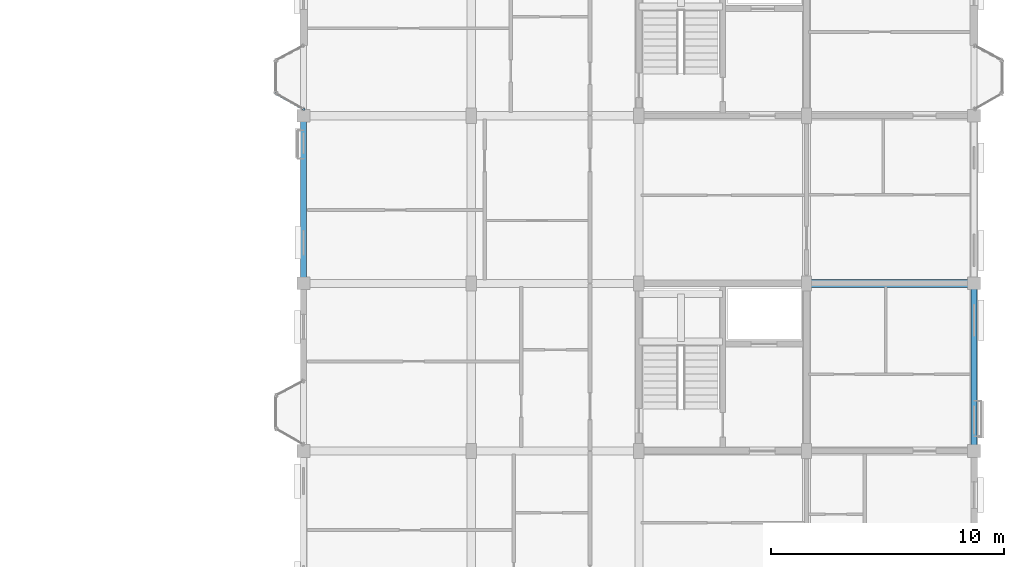
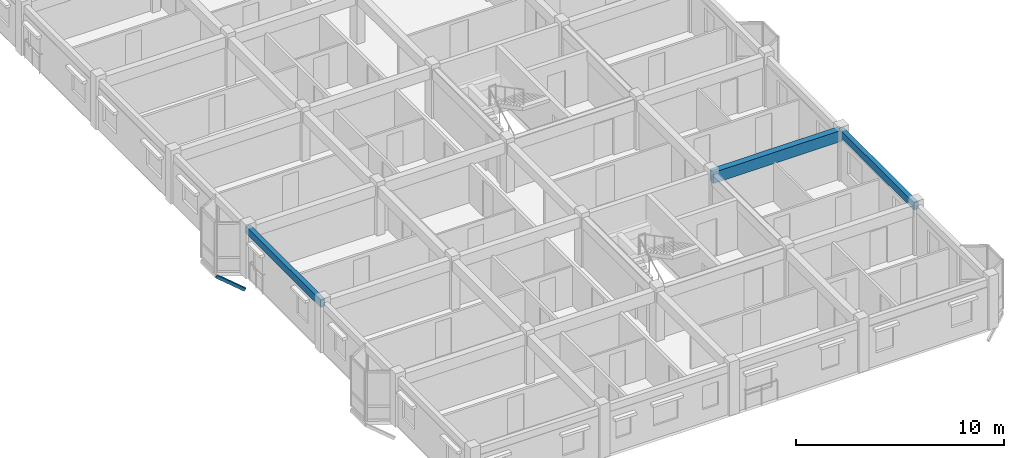
# One storey, part 26 of 79: 3 beams, 1 member.
"""IFC4 building model written with IfcOpenShell, lengths in metres."""

from ifc_helpers import new_model, si_unit, direction, frame, origin, origin_2d, place, context, subcontext, project, spatial, rectangle, hollow_rectangle, extrude, material, material_profile, profile_set, type_object, element, save


model = new_model("IFC4")

# Units and contexts
model_context = context("Model", 3, precision=1e-05, world=origin(), true_north=direction((0.0, 1.0)))
body_context = subcontext(model_context, "Body", "Model", "MODEL_VIEW")
ifc_project = project(units=[si_unit("LENGTHUNIT", "METRE"), si_unit("AREAUNIT", "SQUARE_METRE"), si_unit("VOLUMEUNIT", "CUBIC_METRE"), si_unit("PLANEANGLEUNIT", "RADIAN"), si_unit("MASSUNIT", "GRAM", prefix="KILO"), si_unit("THERMODYNAMICTEMPERATUREUNIT", "KELVIN"), si_unit("POWERUNIT", "WATT")], contexts=[model_context])

# Site, building, storey
site_placement = place(None, origin())
site = spatial("IfcSite", under=ifc_project, at=site_placement, CompositionType="ELEMENT")
building_placement = place(site_placement, origin())
building = spatial("IfcBuilding", under=site, at=building_placement, Name="Tavuni Mirador Residences", CompositionType="ELEMENT")
storey_placement = place(building_placement, frame((0.0, 0.0, 13.949951171875)))
storey = spatial("IfcBuildingStorey", under=building, at=storey_placement, Name="L04", CompositionType="ELEMENT", Elevation=13.949951171875)

# Beams
ifc_material_1 = material(Name="Precast concrete C40/50", Category="concrete")
ifc_material_profile_1 = material_profile(ifc_material_1, rectangle(XDim=0.35009765625, YDim=0.64990234375, at=origin_2d()), Name="PC 350x650", Category="concrete")
ifc_profile_set_1 = profile_set([ifc_material_profile_1], Name="Precast concrete C40/50")
beam_type_1 = type_object("IfcBeamType", Name="BT-B650", PredefinedType="BEAM", material=ifc_profile_set_1)
beam_placement = place(storey_placement, frame((111.60009765625, 100.800048828125, 2.56494140625), z_axis=(1.0, 0.0, 0.0), x_axis=(0.0, 1.0, 0.0)))
element("IfcBeam", 1, at=beam_placement, inside=storey, type_object=beam_type_1, Name="BMX-BLK-D-L04-03-02", PredefinedType="BEAM", context=body_context, shape_type="SweptSolid", body=[
    extrude(rectangle(XDim=0.35009765625, YDim=0.64990234375, at=origin_2d()), origin(), (0.0, 0.0, 1.0), 7.199951171875),
])
ifc_material_profile_2 = material_profile(ifc_material_1, rectangle(XDim=0.25, YDim=0.419921875, at=origin_2d()), Name="PC 250x420", Category="concrete")
ifc_profile_set_2 = profile_set([ifc_material_profile_2], Name="Precast concrete C40/50")
beam_type_2 = type_object("IfcBeamType", Name="BT-SP420", PredefinedType="SPANDREL", material=ifc_profile_set_2)
for number, where, z_axis, x_axis, name in (
    (2, (90.0, 100.800048828125, 2.679931640625), (0.0, 1.0, 0.0), (-1.0, 0.0, 0.0), "BMY-BLK-D-L04-00-02"),
    (3, (118.800048828125, 93.60009765625, 2.679931640625), (0.0, 1.0, 0.0), (-1.0, 0.0, 0.0), "BMY-BLK-D-L04-04-01"),
):
    element("IfcBeam", number, at=place(storey_placement, frame(where, z_axis=z_axis, x_axis=x_axis)), inside=storey, type_object=beam_type_2, Name=name, PredefinedType="SPANDREL", context=body_context, shape_type="SweptSolid", body=[
        extrude(rectangle(XDim=0.25, YDim=0.419921875, at=origin_2d()), origin(), (0.0, 0.0, 1.0), 7.199951171875),
    ])

# Member
ifc_material_2 = material(Name="Structural steel S355", Category="steel")
ifc_material_profile_3 = material_profile(ifc_material_2, hollow_rectangle(XDim=0.10009765625, YDim=0.179931640625, WallThickness=0.008056640625, at=origin_2d()), Name="RHS 180x100x8.0", Category="steel")
ifc_profile_set_3 = profile_set([ifc_material_profile_3], Name="Structural steel S355")
member_type = type_object("IfcMemberType", Name="MT-BR-RHS180", PredefinedType="BRACE", material=ifc_profile_set_3)
member_placement = place(storey_placement, frame((90.0, 108.27490234375, -1.050048828125), z_axis=(-0.753903905175, 0.430407804256, 0.496364809185), x_axis=(-0.495796390047, -0.868438794398, 0.0)))
element("IfcMember", 4, at=member_placement, inside=storey, type_object=member_type, Name="MBRK-MIR-D-W2-L04-1", PredefinedType="BRACE", context=body_context, shape_type="SweptSolid", body=[
    extrude(hollow_rectangle(XDim=0.10009765625, YDim=0.179931640625, WallThickness=0.008056640625, at=origin_2d()), origin(), (0.0, 0.0, 1.0), 1.591552734375),
])

save(model, "model.ifc")
